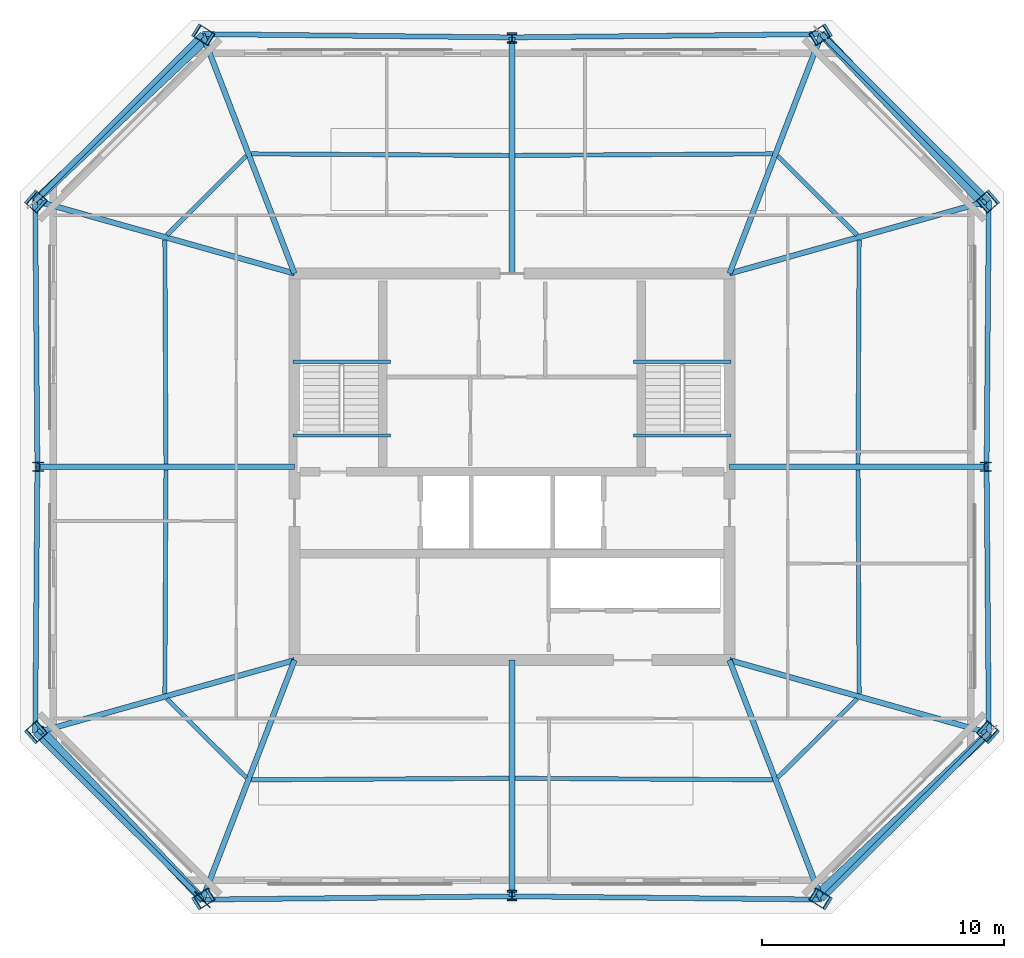
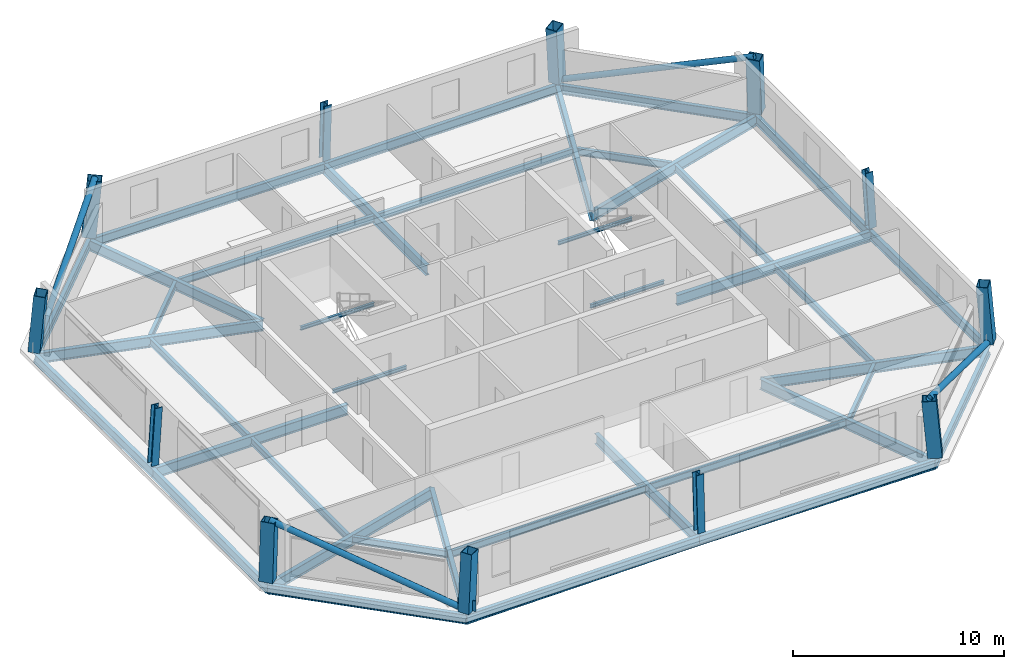
# One storey, part 1 of 7: 40 beams, 12 columns, 4 members, 1 plate.
"""IFC4 building model written with IfcOpenShell, lengths in metres."""

from ifc_helpers import new_model, si_unit, direction, frame, origin, origin_2d, place, context, subcontext, project, spatial, rectangle, hollow_rectangle, hollow_circle, i_section, extrude, material, layer, layer_set, material_profile, profile_set, type_object, element, save


model = new_model("IFC4")

# Units and contexts
model_context = context("Model", 3, precision=1e-05, world=origin(), true_north=direction((0.0, 1.0)))
body_context = subcontext(model_context, "Body", "Model", "MODEL_VIEW")
ifc_project = project(units=[si_unit("LENGTHUNIT", "METRE"), si_unit("AREAUNIT", "SQUARE_METRE"), si_unit("VOLUMEUNIT", "CUBIC_METRE"), si_unit("PLANEANGLEUNIT", "RADIAN"), si_unit("MASSUNIT", "GRAM", prefix="KILO")], contexts=[model_context])

# Site, building, storey
site_placement = place(None, origin())
site = spatial("IfcSite", under=ifc_project, at=site_placement, CompositionType="ELEMENT")
building_placement = place(site_placement, origin())
building = spatial("IfcBuilding", under=site, at=building_placement, Name="Caelvoria Tower", CompositionType="ELEMENT")
storey_placement = place(building_placement, frame((0.0, 0.0, 231.0)))
storey = spatial("IfcBuildingStorey", under=building, at=storey_placement, Name="L61", CompositionType="ELEMENT", Elevation=231.0)

# Columns
ifc_material_1 = material(Name="Structural Steel ASTM A572 Gr.50", Category="steel")
ifc_material_profile_1 = material_profile(ifc_material_1, hollow_rectangle(XDim=0.580078125, YDim=0.699951171875, WallThickness=0.031982421875, at=origin_2d()), Name="Structural Steel ASTM A572 Gr.50")
ifc_profile_set_1 = profile_set([ifc_material_profile_1], Name="BOX700X580X32 - Structural Steel ASTM A572 Gr.50")
column_type_1 = type_object("IfcColumnType", Name="Mega Box Column 700x580x32", PredefinedType="COLUMN", material=ifc_profile_set_1)
for number, where, z_axis, x_axis, name in (
    (1, (33.187255859375, 14.094482421875, 0.0), (0.072351164075, 0.044894824887, 0.996368287209), (-0.527254388164, 0.849707485057, 0.0), "Perimeter Megaframe Column L61-P00"),
    (2, (58.812744140625, 14.094482421875, 0.0), (-0.072351164075, 0.044894824887, 0.996368287209), (-0.527254388164, -0.849707485057, 0.0), "Perimeter Megaframe Column L61-P02"),
):
    element("IfcColumn", number, at=place(storey_placement, frame(where, z_axis=z_axis, x_axis=x_axis)), inside=storey, type_object=column_type_1, Name=name, PredefinedType="COLUMN", context=body_context, shape_type="SweptSolid", body=[
        extrude(hollow_rectangle(XDim=0.580078125, YDim=0.699951171875, WallThickness=0.031982421875, at=origin_2d()), origin(), (0.0, 0.0, 1.0), 3.2900390625),
    ])
for number, where, z_axis, x_axis, name in (
    (3, (65.73046875, 20.9873046875, 0.0), (-0.062492571187, 0.054773773796, 0.996541274735), (0.749422115547, -0.656856913627, 0.083099264433), "Perimeter Megaframe Column L61-P03"),
    (4, (65.73046875, 43.0126953125, 0.0), (-0.062492571187, -0.054773773796, 0.996541274735), (0.749422115547, 0.656856913627, 0.083099264433), "Perimeter Megaframe Column L61-P05"),
):
    element("IfcColumn", number, at=place(storey_placement, frame(where, z_axis=z_axis, x_axis=x_axis)), inside=storey, type_object=column_type_1, Name=name, PredefinedType="COLUMN", context=body_context, shape_type="SweptSolid", body=[
        extrude(hollow_rectangle(XDim=0.580078125, YDim=0.699951171875, WallThickness=0.031982421875, at=origin_2d()), origin(), (0.0, 0.0, 1.0), 3.28955078125),
    ])
for number, where, z_axis, x_axis, name in (
    (5, (58.812744140625, 49.905517578125, 0.0), (-0.072351164075, -0.044894824887, 0.996368287209), (0.527254388164, -0.849707485057, 0.0), "Perimeter Megaframe Column L61-P06"),
    (6, (33.187255859375, 49.905517578125, 0.0), (0.072351164075, -0.044894824887, 0.996368287209), (0.527254388164, 0.849707485057, 0.0), "Perimeter Megaframe Column L61-P08"),
):
    element("IfcColumn", number, at=place(storey_placement, frame(where, z_axis=z_axis, x_axis=x_axis)), inside=storey, type_object=column_type_1, Name=name, PredefinedType="COLUMN", context=body_context, shape_type="SweptSolid", body=[
        extrude(hollow_rectangle(XDim=0.580078125, YDim=0.699951171875, WallThickness=0.031982421875, at=origin_2d()), origin(), (0.0, 0.0, 1.0), 3.2900390625),
    ])
for number, where, z_axis, x_axis, name in (
    (7, (26.26953125, 43.0126953125, 0.0), (0.062492571187, -0.054773773796, 0.996541274735), (-0.749422115547, 0.656856913627, 0.083099264433), "Perimeter Megaframe Column L61-P09"),
    (8, (26.26953125, 20.9873046875, 0.0), (0.062492571187, 0.054773773796, 0.996541274735), (-0.749422115547, -0.656856913627, 0.083099264433), "Perimeter Megaframe Column L61-P11"),
):
    element("IfcColumn", number, at=place(storey_placement, frame(where, z_axis=z_axis, x_axis=x_axis)), inside=storey, type_object=column_type_1, Name=name, PredefinedType="COLUMN", context=body_context, shape_type="SweptSolid", body=[
        extrude(hollow_rectangle(XDim=0.580078125, YDim=0.699951171875, WallThickness=0.031982421875, at=origin_2d()), origin(), (0.0, 0.0, 1.0), 3.28955078125),
    ])
ifc_material_2 = material(Name="Structural Steel ASTM A992 Gr.50", Category="steel")
ifc_material_profile_2 = material_profile(ifc_material_2, i_section(OverallWidth=0.40087890625, OverallDepth=0.39892578125, WebThickness=0.02490234375, FlangeThickness=0.03955078125, FilletRadius=0.02490234375, at=origin_2d()), Name="Structural Steel ASTM A992 Gr.50")
ifc_profile_set_2 = profile_set([ifc_material_profile_2], Name="W360X314 - Structural Steel ASTM A992 Gr.50")
column_type_2 = type_object("IfcColumnType", Name="Upper Frame Column W360X314", PredefinedType="COLUMN", material=ifc_profile_set_2)
column_1_placement = place(storey_placement, frame((46.0, 14.22900390625, 0.0), z_axis=(0.0, 0.04434450837, 0.999016298454), x_axis=(-1.0, 0.0, 0.0)))
element("IfcColumn", 9, at=column_1_placement, inside=storey, type_object=column_type_2, Name="Perimeter Megaframe Column L61-P01", PredefinedType="COLUMN", context=body_context, shape_type="SweptSolid", body=[
    extrude(i_section(OverallWidth=0.40087890625, OverallDepth=0.39892578125, WebThickness=0.02490234375, FlangeThickness=0.03955078125, FilletRadius=0.02490234375, at=origin_2d()), origin(), (0.0, 0.0, 1.0), 3.28125),
])
column_2_placement = place(storey_placement, frame((65.63916015625, 32.0, 0.0), z_axis=(-0.06229035992, 0.0, 0.998058069984), x_axis=(0.998058069984, 0.0, 0.06229035992)))
element("IfcColumn", 10, at=column_2_placement, inside=storey, type_object=column_type_2, Name="Perimeter Megaframe Column L61-P04", PredefinedType="COLUMN", context=body_context, shape_type="SweptSolid", body=[
    extrude(i_section(OverallWidth=0.40087890625, OverallDepth=0.39892578125, WebThickness=0.02490234375, FlangeThickness=0.03955078125, FilletRadius=0.02490234375, at=origin_2d()), origin(), (0.0, 0.0, 1.0), 3.284423828125),
])
column_3_placement = place(storey_placement, frame((46.0, 49.77099609375, 0.0), z_axis=(0.0, -0.04434450837, 0.999016298454), x_axis=(1.0, 0.0, 0.0)))
element("IfcColumn", 11, at=column_3_placement, inside=storey, type_object=column_type_2, Name="Perimeter Megaframe Column L61-P07", PredefinedType="COLUMN", context=body_context, shape_type="SweptSolid", body=[
    extrude(i_section(OverallWidth=0.40087890625, OverallDepth=0.39892578125, WebThickness=0.02490234375, FlangeThickness=0.03955078125, FilletRadius=0.02490234375, at=origin_2d()), origin(), (0.0, 0.0, 1.0), 3.28125),
])
column_4_placement = place(storey_placement, frame((26.36083984375, 32.0, 0.0), z_axis=(0.06229035992, 0.0, 0.998058069984), x_axis=(-0.998058069984, 0.0, 0.06229035992)))
element("IfcColumn", 12, at=column_4_placement, inside=storey, type_object=column_type_2, Name="Perimeter Megaframe Column L61-P10", PredefinedType="COLUMN", context=body_context, shape_type="SweptSolid", body=[
    extrude(i_section(OverallWidth=0.40087890625, OverallDepth=0.39892578125, WebThickness=0.02490234375, FlangeThickness=0.03955078125, FilletRadius=0.02490234375, at=origin_2d()), origin(), (0.0, 0.0, 1.0), 3.284423828125),
])

# Beams
ifc_material_profile_3 = material_profile(ifc_material_2, i_section(OverallWidth=0.134033203125, OverallDepth=0.2099609375, WebThickness=0.00634765625, FlangeThickness=0.01025390625, FilletRadius=0.010009765625, at=origin_2d()), Name="Structural Steel ASTM A992 Gr.50")
ifc_profile_set_3 = profile_set([ifc_material_profile_3], Name="W200X31.3 - Structural Steel ASTM A992 Gr.50")
beam_type_1 = type_object("IfcBeamType", Name="Canopy Edge Trim Beam W200X31.3", PredefinedType="BEAM", material=ifc_profile_set_3)
for number, where, z_axis, x_axis, name in (
    (13, (36.929931640625, 36.35009765625, 1.4951171875), (1.0, 0.0, 0.0), (0.0, 1.0, 0.0), "ST-01 Half-Landing Support Beam L61"),
    (14, (36.929931640625, 33.300048828125, -0.304931640625), (1.0, 0.0, 0.0), (0.0, 1.0, 0.0), "ST-01 Floor-Landing Support Beam L61"),
    (15, (51.030029296875, 36.35009765625, 1.4951171875), (1.0, 0.0, 0.0), (0.0, 1.0, 0.0), "ST-02 Half-Landing Support Beam L61"),
    (16, (51.030029296875, 33.300048828125, -0.304931640625), (1.0, 0.0, 0.0), (0.0, 1.0, 0.0), "ST-02 Floor-Landing Support Beam L61"),
):
    element("IfcBeam", number, at=place(storey_placement, frame(where, z_axis=z_axis, x_axis=x_axis)), inside=storey, type_object=beam_type_1, Name=name, PredefinedType="BEAM", context=body_context, shape_type="SweptSolid", body=[
        extrude(i_section(OverallWidth=0.134033203125, OverallDepth=0.2099609375, WebThickness=0.00634765625, FlangeThickness=0.01025390625, FilletRadius=0.010009765625, at=origin_2d()), origin(), (0.0, 0.0, 1.0), 4.0400390625),
    ])
ifc_material_profile_4 = material_profile(ifc_material_2, i_section(OverallWidth=0.22802734375, OverallDepth=0.60302734375, WebThickness=0.010498046875, FlangeThickness=0.014892578125, FilletRadius=0.01806640625, at=origin_2d()), Name="Structural Steel ASTM A992 Gr.50")
ifc_profile_set_4 = profile_set([ifc_material_profile_4], Name="W610X101 - Structural Steel ASTM A992 Gr.50")
beam_type_2 = type_object("IfcBeamType", Name="Primary Floor Girder W610X101", PredefinedType="BEAM", material=ifc_profile_set_4)
beam_1_placement = place(storey_placement, frame((37.0, 24.0, -0.526611328125), z_axis=(-0.359219519476, -0.933253093661, 0.0), x_axis=(0.933253093661, -0.359219519476, 0.0)))
element("IfcBeam", 17, at=beam_1_placement, inside=storey, type_object=beam_type_2, Name="Primary Floor Girder L61-00", PredefinedType="BEAM", context=body_context, shape_type="SweptSolid", body=[
    extrude(i_section(OverallWidth=0.22802734375, OverallDepth=0.60302734375, WebThickness=0.010498046875, FlangeThickness=0.014892578125, FilletRadius=0.01806640625, at=origin_2d()), origin(), (0.0, 0.0, 1.0), 10.614013671875),
])
beam_2_placement = place(storey_placement, frame((46.0, 24.0, -0.526611328125), z_axis=(0.0, -1.0, 0.0), x_axis=(1.0, 0.0, 0.0)))
element("IfcBeam", 18, at=beam_2_placement, inside=storey, type_object=beam_type_2, Name="Primary Floor Girder L61-01", PredefinedType="BEAM", context=body_context, shape_type="SweptSolid", body=[
    extrude(i_section(OverallWidth=0.22802734375, OverallDepth=0.60302734375, WebThickness=0.010498046875, FlangeThickness=0.014892578125, FilletRadius=0.01806640625, at=origin_2d()), origin(), (0.0, 0.0, 1.0), 9.77099609375),
])
beam_3_placement = place(storey_placement, frame((55.0, 24.0, -0.526611328125), z_axis=(0.359219519476, -0.933253093661, 0.0), x_axis=(0.933253093661, 0.359219519476, 0.0)))
element("IfcBeam", 19, at=beam_3_placement, inside=storey, type_object=beam_type_2, Name="Primary Floor Girder L61-02", PredefinedType="BEAM", context=body_context, shape_type="SweptSolid", body=[
    extrude(i_section(OverallWidth=0.22802734375, OverallDepth=0.60302734375, WebThickness=0.010498046875, FlangeThickness=0.014892578125, FilletRadius=0.01806640625, at=origin_2d()), origin(), (0.0, 0.0, 1.0), 10.614013671875),
])
beam_4_placement = place(storey_placement, frame((55.0, 24.0, -0.526611328125), z_axis=(0.962773589155, -0.27030911199, 0.0), x_axis=(0.27030911199, 0.962773589155, 0.0)))
element("IfcBeam", 20, at=beam_4_placement, inside=storey, type_object=beam_type_2, Name="Primary Floor Girder L61-03", PredefinedType="BEAM", context=body_context, shape_type="SweptSolid", body=[
    extrude(i_section(OverallWidth=0.22802734375, OverallDepth=0.60302734375, WebThickness=0.010498046875, FlangeThickness=0.014892578125, FilletRadius=0.01806640625, at=origin_2d()), origin(), (0.0, 0.0, 1.0), 11.145263671875),
])
beam_5_placement = place(storey_placement, frame((55.0, 32.0, -0.526611328125), z_axis=(1.0, 0.0, 0.0), x_axis=(0.0, 1.0, 0.0)))
element("IfcBeam", 21, at=beam_5_placement, inside=storey, type_object=beam_type_2, Name="Primary Floor Girder L61-04", PredefinedType="BEAM", context=body_context, shape_type="SweptSolid", body=[
    extrude(i_section(OverallWidth=0.22802734375, OverallDepth=0.60302734375, WebThickness=0.010498046875, FlangeThickness=0.014892578125, FilletRadius=0.01806640625, at=origin_2d()), origin(), (0.0, 0.0, 1.0), 10.63916015625),
])
beam_6_placement = place(storey_placement, frame((55.0, 40.0, -0.526611328125), z_axis=(0.962773589155, 0.27030911199, 0.0), x_axis=(-0.27030911199, 0.962773589155, 0.0)))
element("IfcBeam", 22, at=beam_6_placement, inside=storey, type_object=beam_type_2, Name="Primary Floor Girder L61-05", PredefinedType="BEAM", context=body_context, shape_type="SweptSolid", body=[
    extrude(i_section(OverallWidth=0.22802734375, OverallDepth=0.60302734375, WebThickness=0.010498046875, FlangeThickness=0.014892578125, FilletRadius=0.01806640625, at=origin_2d()), origin(), (0.0, 0.0, 1.0), 11.145263671875),
])
beam_7_placement = place(storey_placement, frame((55.0, 40.0, -0.526611328125), z_axis=(0.359219519476, 0.933253093661, 0.0), x_axis=(-0.933253093661, 0.359219519476, 0.0)))
element("IfcBeam", 23, at=beam_7_placement, inside=storey, type_object=beam_type_2, Name="Primary Floor Girder L61-06", PredefinedType="BEAM", context=body_context, shape_type="SweptSolid", body=[
    extrude(i_section(OverallWidth=0.22802734375, OverallDepth=0.60302734375, WebThickness=0.010498046875, FlangeThickness=0.014892578125, FilletRadius=0.01806640625, at=origin_2d()), origin(), (0.0, 0.0, 1.0), 10.614013671875),
])
beam_8_placement = place(storey_placement, frame((46.0, 40.0, -0.526611328125), z_axis=(0.0, 1.0, 0.0), x_axis=(-1.0, 0.0, 0.0)))
element("IfcBeam", 24, at=beam_8_placement, inside=storey, type_object=beam_type_2, Name="Primary Floor Girder L61-07", PredefinedType="BEAM", context=body_context, shape_type="SweptSolid", body=[
    extrude(i_section(OverallWidth=0.22802734375, OverallDepth=0.60302734375, WebThickness=0.010498046875, FlangeThickness=0.014892578125, FilletRadius=0.01806640625, at=origin_2d()), origin(), (0.0, 0.0, 1.0), 9.77099609375),
])
beam_9_placement = place(storey_placement, frame((37.0, 40.0, -0.526611328125), z_axis=(-0.359219519476, 0.933253093661, 0.0), x_axis=(-0.933253093661, -0.359219519476, 0.0)))
element("IfcBeam", 25, at=beam_9_placement, inside=storey, type_object=beam_type_2, Name="Primary Floor Girder L61-08", PredefinedType="BEAM", context=body_context, shape_type="SweptSolid", body=[
    extrude(i_section(OverallWidth=0.22802734375, OverallDepth=0.60302734375, WebThickness=0.010498046875, FlangeThickness=0.014892578125, FilletRadius=0.01806640625, at=origin_2d()), origin(), (0.0, 0.0, 1.0), 10.614013671875),
])
beam_10_placement = place(storey_placement, frame((37.0, 40.0, -0.526611328125), z_axis=(-0.962773589155, 0.27030911199, 0.0), x_axis=(-0.27030911199, -0.962773589155, 0.0)))
element("IfcBeam", 26, at=beam_10_placement, inside=storey, type_object=beam_type_2, Name="Primary Floor Girder L61-09", PredefinedType="BEAM", context=body_context, shape_type="SweptSolid", body=[
    extrude(i_section(OverallWidth=0.22802734375, OverallDepth=0.60302734375, WebThickness=0.010498046875, FlangeThickness=0.014892578125, FilletRadius=0.01806640625, at=origin_2d()), origin(), (0.0, 0.0, 1.0), 11.145263671875),
])
beam_11_placement = place(storey_placement, frame((37.0, 32.0, -0.526611328125), z_axis=(-1.0, 0.0, 0.0), x_axis=(0.0, -1.0, 0.0)))
element("IfcBeam", 27, at=beam_11_placement, inside=storey, type_object=beam_type_2, Name="Primary Floor Girder L61-10", PredefinedType="BEAM", context=body_context, shape_type="SweptSolid", body=[
    extrude(i_section(OverallWidth=0.22802734375, OverallDepth=0.60302734375, WebThickness=0.010498046875, FlangeThickness=0.014892578125, FilletRadius=0.01806640625, at=origin_2d()), origin(), (0.0, 0.0, 1.0), 10.63916015625),
])
beam_12_placement = place(storey_placement, frame((37.0, 24.0, -0.526611328125), z_axis=(-0.962773589155, -0.27030911199, 0.0), x_axis=(0.27030911199, -0.962773589155, 0.0)))
element("IfcBeam", 28, at=beam_12_placement, inside=storey, type_object=beam_type_2, Name="Primary Floor Girder L61-11", PredefinedType="BEAM", context=body_context, shape_type="SweptSolid", body=[
    extrude(i_section(OverallWidth=0.22802734375, OverallDepth=0.60302734375, WebThickness=0.010498046875, FlangeThickness=0.014892578125, FilletRadius=0.01806640625, at=origin_2d()), origin(), (0.0, 0.0, 1.0), 11.145263671875),
])
ifc_material_profile_5 = material_profile(ifc_material_2, i_section(OverallWidth=0.177978515625, OverallDepth=0.406982421875, WebThickness=0.0078125, FlangeThickness=0.0126953125, FilletRadius=0.013916015625, at=origin_2d()), Name="Structural Steel ASTM A992 Gr.50")
ifc_profile_set_5 = profile_set([ifc_material_profile_5], Name="W410X60 - Structural Steel ASTM A992 Gr.50")
beam_type_3 = type_object("IfcBeamType", Name="Secondary Floor Beam W410X60", PredefinedType="BEAM", material=ifc_profile_set_5)
for number, where, z_axis, x_axis, name in (
    (29, (35.218505859375, 19.048095703125, -0.428466796875), (0.999981010497, 0.006162681661, 0.0), (-0.006162681661, 0.999981010497, 0.0), "Secondary Floor Beam L61-00"),
    (30, (46.125, 19.11376953125, -0.428466796875), (0.999981010497, -0.006162681661, 0.0), (0.006162681661, 0.999981010497, 0.0), "Secondary Floor Beam L61-01"),
):
    element("IfcBeam", number, at=place(storey_placement, frame(where, z_axis=z_axis, x_axis=x_axis)), inside=storey, type_object=beam_type_3, Name=name, PredefinedType="BEAM", context=body_context, shape_type="SweptSolid", body=[
        extrude(i_section(OverallWidth=0.177978515625, OverallDepth=0.406982421875, WebThickness=0.0078125, FlangeThickness=0.0126953125, FilletRadius=0.013916015625, at=origin_2d()), origin(), (0.0, 0.0, 1.0), 10.65673828125),
    ])
beam_13_placement = place(storey_placement, frame((56.994873046875, 19.135498046875, -0.428466796875), z_axis=(0.708370409038, 0.705840891136, 0.0), x_axis=(-0.705840891136, 0.708370409038, 0.0)))
element("IfcBeam", 31, at=beam_13_placement, inside=storey, type_object=beam_type_3, Name="Secondary Floor Beam L61-02", PredefinedType="BEAM", context=body_context, shape_type="SweptSolid", body=[
    extrude(i_section(OverallWidth=0.177978515625, OverallDepth=0.406982421875, WebThickness=0.0078125, FlangeThickness=0.0126953125, FilletRadius=0.013916015625, at=origin_2d()), origin(), (0.0, 0.0, 1.0), 4.6328125),
])
for number, where, z_axis, x_axis, name in (
    (32, (60.364501953125, 22.61865234375, -0.428466796875), (-0.004800282299, 0.999988478579, 0.0), (-0.999988478579, -0.004800282299, 0.0), "Secondary Floor Beam L61-03"),
    (33, (60.320068359375, 32.125, -0.428466796875), (0.004800282299, 0.999988478579, 0.0), (-0.999988478579, 0.004800282299, 0.0), "Secondary Floor Beam L61-04"),
):
    element("IfcBeam", number, at=place(storey_placement, frame(where, z_axis=z_axis, x_axis=x_axis)), inside=storey, type_object=beam_type_3, Name=name, PredefinedType="BEAM", context=body_context, shape_type="SweptSolid", body=[
        extrude(i_section(OverallWidth=0.177978515625, OverallDepth=0.406982421875, WebThickness=0.0078125, FlangeThickness=0.0126953125, FilletRadius=0.013916015625, at=origin_2d()), origin(), (0.0, 0.0, 1.0), 9.25634765625),
    ])
beam_14_placement = place(storey_placement, frame((60.276611328125, 41.594482421875, -0.428466796875), z_axis=(-0.708370409038, 0.705840891136, 0.0), x_axis=(-0.705840891136, -0.708370409038, 0.0)))
element("IfcBeam", 34, at=beam_14_placement, inside=storey, type_object=beam_type_3, Name="Secondary Floor Beam L61-05", PredefinedType="BEAM", context=body_context, shape_type="SweptSolid", body=[
    extrude(i_section(OverallWidth=0.177978515625, OverallDepth=0.406982421875, WebThickness=0.0078125, FlangeThickness=0.0126953125, FilletRadius=0.013916015625, at=origin_2d()), origin(), (0.0, 0.0, 1.0), 4.6328125),
])
for number, where, z_axis, x_axis, name in (
    (35, (56.781494140625, 44.951904296875, -0.428466796875), (-0.999981010497, -0.006162681661, 0.0), (0.006162681661, -0.999981010497, 0.0), "Secondary Floor Beam L61-06"),
    (36, (45.875, 44.88623046875, -0.428466796875), (-0.999981010497, 0.006162681661, 0.0), (-0.006162681661, -0.999981010497, 0.0), "Secondary Floor Beam L61-07"),
):
    element("IfcBeam", number, at=place(storey_placement, frame(where, z_axis=z_axis, x_axis=x_axis)), inside=storey, type_object=beam_type_3, Name=name, PredefinedType="BEAM", context=body_context, shape_type="SweptSolid", body=[
        extrude(i_section(OverallWidth=0.177978515625, OverallDepth=0.406982421875, WebThickness=0.0078125, FlangeThickness=0.0126953125, FilletRadius=0.013916015625, at=origin_2d()), origin(), (0.0, 0.0, 1.0), 10.65673828125),
    ])
beam_15_placement = place(storey_placement, frame((35.005126953125, 44.864501953125, -0.428466796875), z_axis=(-0.708370409038, -0.705840891136, 0.0), x_axis=(0.705840891136, -0.708370409038, 0.0)))
element("IfcBeam", 37, at=beam_15_placement, inside=storey, type_object=beam_type_3, Name="Secondary Floor Beam L61-08", PredefinedType="BEAM", context=body_context, shape_type="SweptSolid", body=[
    extrude(i_section(OverallWidth=0.177978515625, OverallDepth=0.406982421875, WebThickness=0.0078125, FlangeThickness=0.0126953125, FilletRadius=0.013916015625, at=origin_2d()), origin(), (0.0, 0.0, 1.0), 4.6328125),
])
for number, where, z_axis, x_axis, name in (
    (38, (31.635498046875, 41.38134765625, -0.428466796875), (0.004800282299, -0.999988478579, 0.0), (0.999988478579, 0.004800282299, 0.0), "Secondary Floor Beam L61-09"),
    (39, (31.679931640625, 31.875, -0.428466796875), (-0.004800282299, -0.999988478579, 0.0), (0.999988478579, -0.004800282299, 0.0), "Secondary Floor Beam L61-10"),
):
    element("IfcBeam", number, at=place(storey_placement, frame(where, z_axis=z_axis, x_axis=x_axis)), inside=storey, type_object=beam_type_3, Name=name, PredefinedType="BEAM", context=body_context, shape_type="SweptSolid", body=[
        extrude(i_section(OverallWidth=0.177978515625, OverallDepth=0.406982421875, WebThickness=0.0078125, FlangeThickness=0.0126953125, FilletRadius=0.013916015625, at=origin_2d()), origin(), (0.0, 0.0, 1.0), 9.25634765625),
    ])
beam_16_placement = place(storey_placement, frame((31.723388671875, 22.405517578125, -0.428466796875), z_axis=(0.708370409038, -0.705840891136, 0.0), x_axis=(0.705840891136, 0.708370409038, 0.0)))
element("IfcBeam", 40, at=beam_16_placement, inside=storey, type_object=beam_type_3, Name="Secondary Floor Beam L61-11", PredefinedType="BEAM", context=body_context, shape_type="SweptSolid", body=[
    extrude(i_section(OverallWidth=0.177978515625, OverallDepth=0.406982421875, WebThickness=0.0078125, FlangeThickness=0.0126953125, FilletRadius=0.013916015625, at=origin_2d()), origin(), (0.0, 0.0, 1.0), 4.6328125),
])

# Members
ifc_material_profile_6 = material_profile(ifc_material_1, hollow_circle(Radius=0.162109375, WallThickness=0.0126953125, at=origin_2d()), Name="Structural Steel ASTM A572 Gr.50")
ifc_profile_set_6 = profile_set([ifc_material_profile_6], Name="CHS324X12.7 - Structural Steel ASTM A572 Gr.50")
member_type = type_object("IfcMemberType", Name="Summit Perimeter Mega Brace CHS324X12.7", PredefinedType="BRACE", material=ifc_profile_set_6)
member_1_placement = place(storey_placement, frame((65.73046875, 20.9873046875, 0.0), z_axis=(-0.690290985713, -0.650677562377, 0.316412807678), x_axis=(0.685918984061, -0.727677914537, 0.0)))
element("IfcMember", 41, at=member_1_placement, inside=storey, type_object=member_type, Name="Perimeter Chamfer Mega Brace L61 SE", PredefinedType="BRACE", context=body_context, shape_type="SweptSolid", body=[
    extrude(hollow_circle(Radius=0.162109375, WallThickness=0.0126953125, at=origin_2d()), origin(), (0.0, 0.0, 1.0), 10.3662109375),
])
member_2_placement = place(storey_placement, frame((58.812744140625, 49.905517578125, 0.0), z_axis=(0.652438228077, -0.687512745266, 0.318826886633), x_axis=(0.725367525825, 0.688361788944, 0.0)))
element("IfcMember", 42, at=member_2_placement, inside=storey, type_object=member_type, Name="Perimeter Chamfer Mega Brace L61 NE", PredefinedType="BRACE", context=body_context, shape_type="SweptSolid", body=[
    extrude(hollow_circle(Radius=0.162109375, WallThickness=0.0126953125, at=origin_2d()), origin(), (0.0, 0.0, 1.0), 10.287841796875),
])
member_3_placement = place(storey_placement, frame((26.26953125, 43.0126953125, 0.0), z_axis=(0.690290985713, 0.650677562377, 0.316412807678), x_axis=(-0.685918984061, 0.727677914537, 0.0)))
element("IfcMember", 43, at=member_3_placement, inside=storey, type_object=member_type, Name="Perimeter Chamfer Mega Brace L61 NW", PredefinedType="BRACE", context=body_context, shape_type="SweptSolid", body=[
    extrude(hollow_circle(Radius=0.162109375, WallThickness=0.0126953125, at=origin_2d()), origin(), (0.0, 0.0, 1.0), 10.3662109375),
])
member_4_placement = place(storey_placement, frame((33.187255859375, 14.094482421875, 0.0), z_axis=(-0.652438228077, 0.687512745266, 0.318826886633), x_axis=(-0.725367525825, -0.688361788944, 0.0)))
element("IfcMember", 44, at=member_4_placement, inside=storey, type_object=member_type, Name="Perimeter Chamfer Mega Brace L61 SW", PredefinedType="BRACE", context=body_context, shape_type="SweptSolid", body=[
    extrude(hollow_circle(Radius=0.162109375, WallThickness=0.0126953125, at=origin_2d()), origin(), (0.0, 0.0, 1.0), 10.287841796875),
])

# Beams
ifc_material_profile_7 = material_profile(ifc_material_2, i_section(OverallWidth=0.208984375, OverallDepth=0.532958984375, WebThickness=0.01025390625, FlangeThickness=0.015625, FilletRadius=0.01611328125, at=origin_2d()), Name="Structural Steel ASTM A992 Gr.50")
ifc_profile_set_7 = profile_set([ifc_material_profile_7], Name="W530X92 - Structural Steel ASTM A992 Gr.50")
beam_type_4 = type_object("IfcBeamType", Name="Upper Zone Spandrel W530X92", PredefinedType="BEAM", material=ifc_profile_set_7)
for number, where, z_axis, x_axis, name in (
    (45, (33.187255859375, 14.094482421875, -0.491455078125), (0.999944889659, 0.010498459141, 0.0), (-0.010498459141, 0.999944889659, 0.0), "Perimeter Spandrel Girder L61-00"),
    (46, (46.0, 14.22900390625, -0.491455078125), (0.999944889659, -0.010498459141, 0.0), (0.010498459141, 0.999944889659, 0.0), "Perimeter Spandrel Girder L61-01"),
):
    element("IfcBeam", number, at=place(storey_placement, frame(where, z_axis=z_axis, x_axis=x_axis)), inside=storey, type_object=beam_type_4, Name=name, PredefinedType="BEAM", context=body_context, shape_type="SweptSolid", body=[
        extrude(i_section(OverallWidth=0.208984375, OverallDepth=0.532958984375, WebThickness=0.01025390625, FlangeThickness=0.015625, FilletRadius=0.01611328125, at=origin_2d()), origin(), (0.0, 0.0, 1.0), 12.8134765625),
    ])
beam_17_placement = place(storey_placement, frame((58.812744140625, 14.094482421875, -0.491455078125), z_axis=(0.708380641832, 0.705830621522, 0.0), x_axis=(-0.705830621522, 0.708380641832, 0.0)))
element("IfcBeam", 47, at=beam_17_placement, inside=storey, type_object=beam_type_4, Name="Perimeter Spandrel Girder L61-02", PredefinedType="BEAM", context=body_context, shape_type="SweptSolid", body=[
    extrude(i_section(OverallWidth=0.208984375, OverallDepth=0.532958984375, WebThickness=0.01025390625, FlangeThickness=0.015625, FilletRadius=0.01611328125, at=origin_2d()), origin(), (0.0, 0.0, 1.0), 9.765625),
])
for number, where, z_axis, x_axis, name in (
    (48, (65.73046875, 20.9873046875, -0.491455078125), (-0.00829092723, 0.999965629672, 0.0), (-0.999965629672, -0.00829092723, 0.0), "Perimeter Spandrel Girder L61-03"),
    (49, (65.63916015625, 32.0, -0.491455078125), (0.00829092723, 0.999965629672, 0.0), (-0.999965629672, 0.00829092723, 0.0), "Perimeter Spandrel Girder L61-04"),
):
    element("IfcBeam", number, at=place(storey_placement, frame(where, z_axis=z_axis, x_axis=x_axis)), inside=storey, type_object=beam_type_4, Name=name, PredefinedType="BEAM", context=body_context, shape_type="SweptSolid", body=[
        extrude(i_section(OverallWidth=0.208984375, OverallDepth=0.532958984375, WebThickness=0.01025390625, FlangeThickness=0.015625, FilletRadius=0.01611328125, at=origin_2d()), origin(), (0.0, 0.0, 1.0), 11.01318359375),
    ])
beam_18_placement = place(storey_placement, frame((65.73046875, 43.0126953125, -0.491455078125), z_axis=(-0.708380641832, 0.705830621522, 0.0), x_axis=(-0.705830621522, -0.708380641832, 0.0)))
element("IfcBeam", 50, at=beam_18_placement, inside=storey, type_object=beam_type_4, Name="Perimeter Spandrel Girder L61-05", PredefinedType="BEAM", context=body_context, shape_type="SweptSolid", body=[
    extrude(i_section(OverallWidth=0.208984375, OverallDepth=0.532958984375, WebThickness=0.01025390625, FlangeThickness=0.015625, FilletRadius=0.01611328125, at=origin_2d()), origin(), (0.0, 0.0, 1.0), 9.765625),
])
for number, where, z_axis, x_axis, name in (
    (51, (58.812744140625, 49.905517578125, -0.491455078125), (-0.999944889659, -0.010498459141, 0.0), (0.010498459141, -0.999944889659, 0.0), "Perimeter Spandrel Girder L61-06"),
    (52, (46.0, 49.77099609375, -0.491455078125), (-0.999944889659, 0.010498459141, 0.0), (-0.010498459141, -0.999944889659, 0.0), "Perimeter Spandrel Girder L61-07"),
):
    element("IfcBeam", number, at=place(storey_placement, frame(where, z_axis=z_axis, x_axis=x_axis)), inside=storey, type_object=beam_type_4, Name=name, PredefinedType="BEAM", context=body_context, shape_type="SweptSolid", body=[
        extrude(i_section(OverallWidth=0.208984375, OverallDepth=0.532958984375, WebThickness=0.01025390625, FlangeThickness=0.015625, FilletRadius=0.01611328125, at=origin_2d()), origin(), (0.0, 0.0, 1.0), 12.8134765625),
    ])
beam_19_placement = place(storey_placement, frame((33.187255859375, 49.905517578125, -0.491455078125), z_axis=(-0.708380641832, -0.705830621522, 0.0), x_axis=(0.705830621522, -0.708380641832, 0.0)))
element("IfcBeam", 53, at=beam_19_placement, inside=storey, type_object=beam_type_4, Name="Perimeter Spandrel Girder L61-08", PredefinedType="BEAM", context=body_context, shape_type="SweptSolid", body=[
    extrude(i_section(OverallWidth=0.208984375, OverallDepth=0.532958984375, WebThickness=0.01025390625, FlangeThickness=0.015625, FilletRadius=0.01611328125, at=origin_2d()), origin(), (0.0, 0.0, 1.0), 9.765625),
])
for number, where, z_axis, x_axis, name in (
    (54, (26.26953125, 43.0126953125, -0.491455078125), (0.00829092723, -0.999965629672, 0.0), (0.999965629672, 0.00829092723, 0.0), "Perimeter Spandrel Girder L61-09"),
    (55, (26.36083984375, 32.0, -0.491455078125), (-0.00829092723, -0.999965629672, 0.0), (0.999965629672, -0.00829092723, 0.0), "Perimeter Spandrel Girder L61-10"),
):
    element("IfcBeam", number, at=place(storey_placement, frame(where, z_axis=z_axis, x_axis=x_axis)), inside=storey, type_object=beam_type_4, Name=name, PredefinedType="BEAM", context=body_context, shape_type="SweptSolid", body=[
        extrude(i_section(OverallWidth=0.208984375, OverallDepth=0.532958984375, WebThickness=0.01025390625, FlangeThickness=0.015625, FilletRadius=0.01611328125, at=origin_2d()), origin(), (0.0, 0.0, 1.0), 11.01318359375),
    ])
beam_20_placement = place(storey_placement, frame((26.26953125, 20.9873046875, -0.491455078125), z_axis=(0.708380641832, -0.705830621522, 0.0), x_axis=(0.705830621522, 0.708380641832, 0.0)))
element("IfcBeam", 56, at=beam_20_placement, inside=storey, type_object=beam_type_4, Name="Perimeter Spandrel Girder L61-11", PredefinedType="BEAM", context=body_context, shape_type="SweptSolid", body=[
    extrude(i_section(OverallWidth=0.208984375, OverallDepth=0.532958984375, WebThickness=0.01025390625, FlangeThickness=0.015625, FilletRadius=0.01611328125, at=origin_2d()), origin(), (0.0, 0.0, 1.0), 9.765625),
])

# Plate
ifc_layer = layer(ifc_material_1, 0.0400390625, Name="Structural Steel ASTM A572 Gr.50")
ifc_layer_set = layer_set([ifc_layer], Name="Megaframe Node Gusset Plate 900x600x40 - Structural Steel ASTM A572 Gr.50")
plate_type = type_object("IfcPlateType", Name="Megaframe Node Gusset Plate 900x600x40", PredefinedType="USERDEFINED", material=ifc_layer_set)
plate_placement = place(storey_placement, frame((33.187255859375, 14.094482421875, 0.02001953125), z_axis=(0.0, 0.0, 1.0), x_axis=(-0.688368501755, 0.725361155419, 0.0)))
element("IfcPlate", 57, at=plate_placement, inside=storey, type_object=plate_type, Name="Chamfer Mega Brace Gusset L61 SW", ObjectType="GUSSET_PLATE", PredefinedType="USERDEFINED", context=body_context, shape_type="SweptSolid", body=[
    extrude(rectangle(XDim=0.89990234375, YDim=0.0400390625, at=origin_2d()), origin(), (0.0, 0.0, 1.0), 0.60009765625),
])

save(model, "model.ifc")
